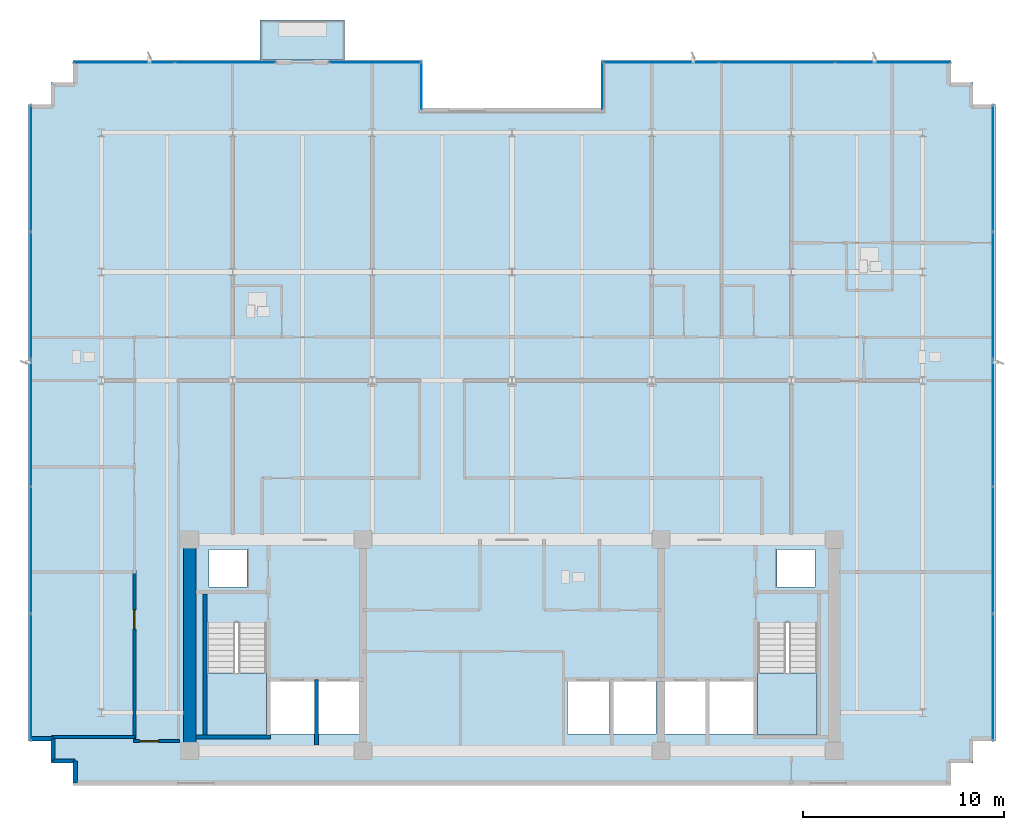
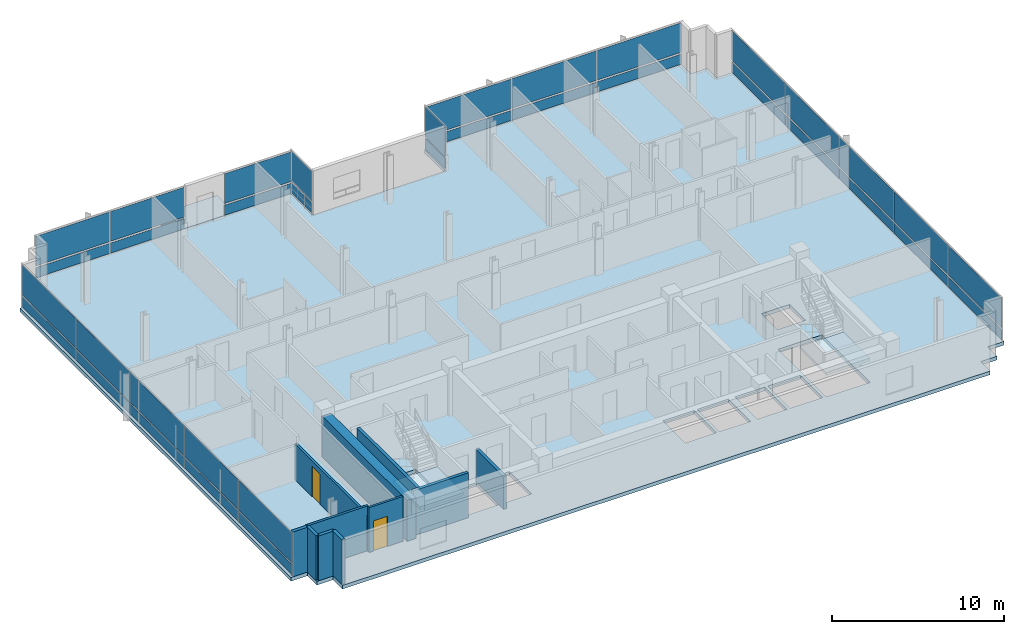
# One storey, part 10 of 17: 36 plates, 11 walls, 4 slabs, 2 doors, 2 openings, 9 elements without a shape of their own.
"""IFC4 building model written with IfcOpenShell, lengths in metres."""

from ifc_helpers import new_model, si_unit, direction, frame, frame_2d, origin, origin_2d, place, context, subcontext, project, spatial, polyline, rectangle, outline, extrude, material, layer, layer_set, type_object, element, fill, aggregate, save


model = new_model("IFC4")

# Units and contexts
model_context = context("Model", 3, precision=1e-05, world=origin(), true_north=direction((0.0, 1.0)))
body_context = subcontext(model_context, "Body", "Model", "MODEL_VIEW")
ifc_project = project(units=[si_unit("LENGTHUNIT", "METRE"), si_unit("AREAUNIT", "SQUARE_METRE"), si_unit("VOLUMEUNIT", "CUBIC_METRE"), si_unit("PLANEANGLEUNIT", "RADIAN"), si_unit("MASSUNIT", "GRAM", prefix="KILO")], contexts=[model_context])

# Site, building, storey
site_placement = place(None, origin())
site = spatial("IfcSite", under=ifc_project, at=site_placement, CompositionType="ELEMENT")
building_placement = place(site_placement, origin())
building = spatial("IfcBuilding", under=site, at=building_placement, Name="Solmavex Isthmus Hotel", CompositionType="ELEMENT")
storey_placement = place(building_placement, frame((0.0, 0.0, 266.10009765625)))
storey = spatial("IfcBuildingStorey", under=building, at=storey_placement, Name="L72", CompositionType="ELEMENT", Elevation=266.10009765625)

# Curtain wall, plates
ifc_material_1 = material(Name="Aluminium alloy 6063-T6", Category="aluminium")
curtain_wall_type = type_object("IfcCurtainWallType", Name="CW-SYS-06", PredefinedType="NOTDEFINED", material=ifc_material_1)
curtain_wall_1_placement = place(storey_placement, origin())
curtain_wall_1 = element("IfcCurtainWall", 1, at=curtain_wall_1_placement, inside=storey, type_object=curtain_wall_type, Name="Stick Curtain Wall CWL-L72-SGW", PredefinedType="NOTDEFINED")
ifc_material_2 = material(Name="Clear low-E laminated glass", Category="glass")
ifc_layer_1 = layer(ifc_material_2, 0.028076171875)
ifc_layer_set_1 = layer_set([ifc_layer_1], Name="Clear low-E laminated glass")
plate_type = type_object("IfcPlateType", Name="CW-SYS-06-PNL", PredefinedType="CURTAIN_PANEL", material=ifc_layer_set_1)
plate_1_placement = place(storey_placement, frame((-4.5, 20.0400390625, 0.114990234375), z_axis=(0.0, 0.0, 1.0), x_axis=(0.0, 1.0, 0.0)))
plate_1 = element("IfcPlate", 2, at=plate_1_placement, type_object=plate_type, Name="CW-06 panel 1.1", PredefinedType="CURTAIN_PANEL", context=body_context, shape_type="SweptSolid", body=[
    extrude(rectangle(XDim=2.360107421875, YDim=0.028076171875, at=origin_2d()), origin(), (0.0, 0.0, 1.0), 0.7275390625),
])
plate_2_placement = place(storey_placement, frame((-4.5, 20.0400390625, 0.95751953125), z_axis=(0.0, 0.0, 1.0), x_axis=(0.0, 1.0, 0.0)))
plate_2 = element("IfcPlate", 3, at=plate_2_placement, type_object=plate_type, Name="CW-06 panel 1.2", PredefinedType="CURTAIN_PANEL", context=body_context, shape_type="SweptSolid", body=[
    extrude(rectangle(XDim=2.360107421875, YDim=0.028076171875, at=origin_2d()), origin(), (0.0, 0.0, 1.0), 2.117431640625),
])
aggregate(curtain_wall_1, [plate_1, plate_2])

curtain_wall_2_placement = place(storey_placement, origin())
curtain_wall_2 = element("IfcCurtainWall", 4, at=curtain_wall_2_placement, inside=storey, type_object=curtain_wall_type, Name="Stick Curtain Wall CWL-L72-SGE", PredefinedType="NOTDEFINED")
plate_3_placement = place(storey_placement, frame((4.5, 20.0400390625, 0.114990234375), z_axis=(0.0, 0.0, 1.0), x_axis=(0.0, 1.0, 0.0)))
plate_3 = element("IfcPlate", 5, at=plate_3_placement, type_object=plate_type, Name="CW-06 panel 1.1", PredefinedType="CURTAIN_PANEL", context=body_context, shape_type="SweptSolid", body=[
    extrude(rectangle(XDim=2.360107421875, YDim=0.028076171875, at=origin_2d()), origin(), (0.0, 0.0, 1.0), 0.7275390625),
])
plate_4_placement = place(storey_placement, frame((4.5, 20.0400390625, 0.95751953125), z_axis=(0.0, 0.0, 1.0), x_axis=(0.0, 1.0, 0.0)))
plate_4 = element("IfcPlate", 6, at=plate_4_placement, type_object=plate_type, Name="CW-06 panel 1.2", PredefinedType="CURTAIN_PANEL", context=body_context, shape_type="SweptSolid", body=[
    extrude(rectangle(XDim=2.360107421875, YDim=0.028076171875, at=origin_2d()), origin(), (0.0, 0.0, 1.0), 2.117431640625),
])
aggregate(curtain_wall_2, [plate_3, plate_4])

curtain_wall_3_placement = place(storey_placement, origin())
curtain_wall_3 = element("IfcCurtainWall", 7, at=curtain_wall_3_placement, inside=storey, type_object=curtain_wall_type, Name="Stick Curtain Wall CWL-L72-N1", PredefinedType="NOTDEFINED")
plate_5_placement = place(storey_placement, frame((-19.260986328125, 21.179931640625, 0.114990234375), z_axis=(0.0, 0.0, 1.0), x_axis=(1.0, 0.0, 0.0)))
plate_5 = element("IfcPlate", 8, at=plate_5_placement, type_object=plate_type, Name="CW-06 panel 1.1", PredefinedType="CURTAIN_PANEL", context=body_context, shape_type="SweptSolid", body=[
    extrude(rectangle(XDim=4.9580078125, YDim=0.028076171875, at=origin_2d()), origin(), (0.0, 0.0, 1.0), 0.7275390625),
])
plate_6_placement = place(storey_placement, frame((-19.260986328125, 21.179931640625, 0.95751953125), z_axis=(0.0, 0.0, 1.0), x_axis=(1.0, 0.0, 0.0)))
plate_6 = element("IfcPlate", 9, at=plate_6_placement, type_object=plate_type, Name="CW-06 panel 1.2", PredefinedType="CURTAIN_PANEL", context=body_context, shape_type="SweptSolid", body=[
    extrude(rectangle(XDim=4.9580078125, YDim=0.028076171875, at=origin_2d()), origin(), (0.0, 0.0, 1.0), 2.117431640625),
])
plate_7_placement = place(storey_placement, frame((-14.242919921875, 21.179931640625, 0.114990234375), z_axis=(0.0, 0.0, 1.0), x_axis=(1.0, 0.0, 0.0)))
plate_7 = element("IfcPlate", 10, at=plate_7_placement, type_object=plate_type, Name="CW-06 panel 2.1", PredefinedType="CURTAIN_PANEL", context=body_context, shape_type="SweptSolid", body=[
    extrude(rectangle(XDim=4.9580078125, YDim=0.028076171875, at=origin_2d()), origin(), (0.0, 0.0, 1.0), 0.7275390625),
])
plate_8_placement = place(storey_placement, frame((-14.242919921875, 21.179931640625, 0.95751953125), z_axis=(0.0, 0.0, 1.0), x_axis=(1.0, 0.0, 0.0)))
plate_8 = element("IfcPlate", 11, at=plate_8_placement, type_object=plate_type, Name="CW-06 panel 2.2", PredefinedType="CURTAIN_PANEL", context=body_context, shape_type="SweptSolid", body=[
    extrude(rectangle(XDim=4.9580078125, YDim=0.028076171875, at=origin_2d()), origin(), (0.0, 0.0, 1.0), 2.117431640625),
])
aggregate(curtain_wall_3, [plate_5, plate_6, plate_7, plate_8])

curtain_wall_4_placement = place(storey_placement, origin())
curtain_wall_4 = element("IfcCurtainWall", 12, at=curtain_wall_4_placement, inside=storey, type_object=curtain_wall_type, Name="Stick Curtain Wall CWL-L72-N2", PredefinedType="NOTDEFINED")
plate_9_placement = place(storey_placement, frame((-6.802001953125, 21.179931640625, 0.114990234375), z_axis=(0.0, 0.0, 1.0), x_axis=(1.0, 0.0, 0.0)))
plate_9 = element("IfcPlate", 13, at=plate_9_placement, type_object=plate_type, Name="CW-06 panel 1.1", PredefinedType="CURTAIN_PANEL", context=body_context, shape_type="SweptSolid", body=[
    extrude(rectangle(XDim=4.48388671875, YDim=0.028076171875, at=origin_2d()), origin(), (0.0, 0.0, 1.0), 0.7275390625),
])
plate_10_placement = place(storey_placement, frame((-6.802001953125, 21.179931640625, 0.95751953125), z_axis=(0.0, 0.0, 1.0), x_axis=(1.0, 0.0, 0.0)))
plate_10 = element("IfcPlate", 14, at=plate_10_placement, type_object=plate_type, Name="CW-06 panel 1.2", PredefinedType="CURTAIN_PANEL", context=body_context, shape_type="SweptSolid", body=[
    extrude(rectangle(XDim=4.48388671875, YDim=0.028076171875, at=origin_2d()), origin(), (0.0, 0.0, 1.0), 2.117431640625),
])
aggregate(curtain_wall_4, [plate_9, plate_10])

curtain_wall_5_placement = place(storey_placement, origin())
curtain_wall_5 = element("IfcCurtainWall", 15, at=curtain_wall_5_placement, inside=storey, type_object=curtain_wall_type, Name="Stick Curtain Wall CWL-L72-N3", PredefinedType="NOTDEFINED")
plate_11_placement = place(storey_placement, frame((7.3984375, 21.179931640625, 0.114990234375), z_axis=(0.0, 0.0, 1.0), x_axis=(1.0, 0.0, 0.0)))
plate_11 = element("IfcPlate", 16, at=plate_11_placement, type_object=plate_type, Name="CW-06 panel 1.1", PredefinedType="CURTAIN_PANEL", context=body_context, shape_type="SweptSolid", body=[
    extrude(rectangle(XDim=5.6767578125, YDim=0.028076171875, at=origin_2d()), origin(), (0.0, 0.0, 1.0), 0.7275390625),
])
plate_12_placement = place(storey_placement, frame((7.3984375, 21.179931640625, 0.95751953125), z_axis=(0.0, 0.0, 1.0), x_axis=(1.0, 0.0, 0.0)))
plate_12 = element("IfcPlate", 17, at=plate_12_placement, type_object=plate_type, Name="CW-06 panel 1.2", PredefinedType="CURTAIN_PANEL", context=body_context, shape_type="SweptSolid", body=[
    extrude(rectangle(XDim=5.6767578125, YDim=0.028076171875, at=origin_2d()), origin(), (0.0, 0.0, 1.0), 2.117431640625),
])
plate_13_placement = place(storey_placement, frame((13.14990234375, 21.179931640625, 0.114990234375), z_axis=(0.0, 0.0, 1.0), x_axis=(1.0, 0.0, 0.0)))
plate_13 = element("IfcPlate", 18, at=plate_13_placement, type_object=plate_type, Name="CW-06 panel 2.1", PredefinedType="CURTAIN_PANEL", context=body_context, shape_type="SweptSolid", body=[
    extrude(rectangle(XDim=5.706787109375, YDim=0.028076171875, at=origin_2d()), origin(), (0.0, 0.0, 1.0), 0.7275390625),
])
plate_14_placement = place(storey_placement, frame((13.14990234375, 21.179931640625, 0.95751953125), z_axis=(0.0, 0.0, 1.0), x_axis=(1.0, 0.0, 0.0)))
plate_14 = element("IfcPlate", 19, at=plate_14_placement, type_object=plate_type, Name="CW-06 panel 2.2", PredefinedType="CURTAIN_PANEL", context=body_context, shape_type="SweptSolid", body=[
    extrude(rectangle(XDim=5.706787109375, YDim=0.028076171875, at=origin_2d()), origin(), (0.0, 0.0, 1.0), 2.117431640625),
])
plate_15_placement = place(storey_placement, frame((18.901611328125, 21.179931640625, 0.114990234375), z_axis=(0.0, 0.0, 1.0), x_axis=(1.0, 0.0, 0.0)))
plate_15 = element("IfcPlate", 20, at=plate_15_placement, type_object=plate_type, Name="CW-06 panel 3.1", PredefinedType="CURTAIN_PANEL", context=body_context, shape_type="SweptSolid", body=[
    extrude(rectangle(XDim=5.6767578125, YDim=0.028076171875, at=origin_2d()), origin(), (0.0, 0.0, 1.0), 0.7275390625),
])
plate_16_placement = place(storey_placement, frame((18.901611328125, 21.179931640625, 0.95751953125), z_axis=(0.0, 0.0, 1.0), x_axis=(1.0, 0.0, 0.0)))
plate_16 = element("IfcPlate", 21, at=plate_16_placement, type_object=plate_type, Name="CW-06 panel 3.2", PredefinedType="CURTAIN_PANEL", context=body_context, shape_type="SweptSolid", body=[
    extrude(rectangle(XDim=5.6767578125, YDim=0.028076171875, at=origin_2d()), origin(), (0.0, 0.0, 1.0), 2.117431640625),
])
aggregate(curtain_wall_5, [plate_11, plate_12, plate_13, plate_14, plate_15, plate_16])

curtain_wall_6_placement = place(storey_placement, origin())
curtain_wall_6 = element("IfcCurtainWall", 22, at=curtain_wall_6_placement, inside=storey, type_object=curtain_wall_type, Name="Stick Curtain Wall CWL-L72-W1", PredefinedType="NOTDEFINED")
plate_17_placement = place(storey_placement, frame((-23.8798828125, -9.324951171875, 0.114990234375), z_axis=(0.0, 0.0, 1.0), x_axis=(0.0, 1.0, 0.0)))
plate_17 = element("IfcPlate", 23, at=plate_17_placement, type_object=plate_type, Name="CW-06 panel 1.1", PredefinedType="CURTAIN_PANEL", context=body_context, shape_type="SweptSolid", body=[
    extrude(rectangle(XDim=6.22998046875, YDim=0.028076171875, at=origin_2d()), origin(), (0.0, 0.0, 1.0), 0.7275390625),
])
plate_18_placement = place(storey_placement, frame((-23.8798828125, -9.324951171875, 0.95751953125), z_axis=(0.0, 0.0, 1.0), x_axis=(0.0, 1.0, 0.0)))
plate_18 = element("IfcPlate", 24, at=plate_18_placement, type_object=plate_type, Name="CW-06 panel 1.2", PredefinedType="CURTAIN_PANEL", context=body_context, shape_type="SweptSolid", body=[
    extrude(rectangle(XDim=6.22998046875, YDim=0.028076171875, at=origin_2d()), origin(), (0.0, 0.0, 1.0), 2.117431640625),
])
plate_19_placement = place(storey_placement, frame((-23.8798828125, -3.02001953125, 0.114990234375), z_axis=(0.0, 0.0, 1.0), x_axis=(0.0, 1.0, 0.0)))
plate_19 = element("IfcPlate", 25, at=plate_19_placement, type_object=plate_type, Name="CW-06 panel 2.1", PredefinedType="CURTAIN_PANEL", context=body_context, shape_type="SweptSolid", body=[
    extrude(rectangle(XDim=6.260009765625, YDim=0.028076171875, at=origin_2d()), origin(), (0.0, 0.0, 1.0), 0.7275390625),
])
plate_20_placement = place(storey_placement, frame((-23.8798828125, -3.02001953125, 0.95751953125), z_axis=(0.0, 0.0, 1.0), x_axis=(0.0, 1.0, 0.0)))
plate_20 = element("IfcPlate", 26, at=plate_20_placement, type_object=plate_type, Name="CW-06 panel 2.2", PredefinedType="CURTAIN_PANEL", context=body_context, shape_type="SweptSolid", body=[
    extrude(rectangle(XDim=6.260009765625, YDim=0.028076171875, at=origin_2d()), origin(), (0.0, 0.0, 1.0), 2.117431640625),
])
plate_21_placement = place(storey_placement, frame((-23.8798828125, 3.300048828125, 0.114990234375), z_axis=(0.0, 0.0, 1.0), x_axis=(0.0, 1.0, 0.0)))
plate_21 = element("IfcPlate", 27, at=plate_21_placement, type_object=plate_type, Name="CW-06 panel 3.1", PredefinedType="CURTAIN_PANEL", context=body_context, shape_type="SweptSolid", body=[
    extrude(rectangle(XDim=6.260009765625, YDim=0.028076171875, at=origin_2d()), origin(), (0.0, 0.0, 1.0), 0.7275390625),
])
plate_22_placement = place(storey_placement, frame((-23.8798828125, 3.300048828125, 0.95751953125), z_axis=(0.0, 0.0, 1.0), x_axis=(0.0, 1.0, 0.0)))
plate_22 = element("IfcPlate", 28, at=plate_22_placement, type_object=plate_type, Name="CW-06 panel 3.2", PredefinedType="CURTAIN_PANEL", context=body_context, shape_type="SweptSolid", body=[
    extrude(rectangle(XDim=6.260009765625, YDim=0.028076171875, at=origin_2d()), origin(), (0.0, 0.0, 1.0), 2.117431640625),
])
plate_23_placement = place(storey_placement, frame((-23.8798828125, 9.6201171875, 0.114990234375), z_axis=(0.0, 0.0, 1.0), x_axis=(0.0, 1.0, 0.0)))
plate_23 = element("IfcPlate", 29, at=plate_23_placement, type_object=plate_type, Name="CW-06 panel 4.1", PredefinedType="CURTAIN_PANEL", context=body_context, shape_type="SweptSolid", body=[
    extrude(rectangle(XDim=6.260009765625, YDim=0.028076171875, at=origin_2d()), origin(), (0.0, 0.0, 1.0), 0.7275390625),
])
plate_24_placement = place(storey_placement, frame((-23.8798828125, 9.6201171875, 0.95751953125), z_axis=(0.0, 0.0, 1.0), x_axis=(0.0, 1.0, 0.0)))
plate_24 = element("IfcPlate", 30, at=plate_24_placement, type_object=plate_type, Name="CW-06 panel 4.2", PredefinedType="CURTAIN_PANEL", context=body_context, shape_type="SweptSolid", body=[
    extrude(rectangle(XDim=6.260009765625, YDim=0.028076171875, at=origin_2d()), origin(), (0.0, 0.0, 1.0), 2.117431640625),
])
plate_25_placement = place(storey_placement, frame((-23.8798828125, 15.925048828125, 0.114990234375), z_axis=(0.0, 0.0, 1.0), x_axis=(0.0, 1.0, 0.0)))
plate_25 = element("IfcPlate", 31, at=plate_25_placement, type_object=plate_type, Name="CW-06 panel 5.1", PredefinedType="CURTAIN_PANEL", context=body_context, shape_type="SweptSolid", body=[
    extrude(rectangle(XDim=6.22998046875, YDim=0.028076171875, at=origin_2d()), origin(), (0.0, 0.0, 1.0), 0.7275390625),
])
plate_26_placement = place(storey_placement, frame((-23.8798828125, 15.925048828125, 0.95751953125), z_axis=(0.0, 0.0, 1.0), x_axis=(0.0, 1.0, 0.0)))
plate_26 = element("IfcPlate", 32, at=plate_26_placement, type_object=plate_type, Name="CW-06 panel 5.2", PredefinedType="CURTAIN_PANEL", context=body_context, shape_type="SweptSolid", body=[
    extrude(rectangle(XDim=6.22998046875, YDim=0.028076171875, at=origin_2d()), origin(), (0.0, 0.0, 1.0), 2.117431640625),
])
aggregate(curtain_wall_6, [plate_17, plate_18, plate_19, plate_20, plate_21, plate_22, plate_23, plate_24, plate_25, plate_26])

curtain_wall_7_placement = place(storey_placement, origin())
curtain_wall_7 = element("IfcCurtainWall", 33, at=curtain_wall_7_placement, inside=storey, type_object=curtain_wall_type, Name="Stick Curtain Wall CWL-L72-E1", PredefinedType="NOTDEFINED")
plate_27_placement = place(storey_placement, frame((23.8798828125, -9.324951171875, 0.114990234375), z_axis=(0.0, 0.0, 1.0), x_axis=(0.0, 1.0, 0.0)))
plate_27 = element("IfcPlate", 34, at=plate_27_placement, type_object=plate_type, Name="CW-06 panel 1.1", PredefinedType="CURTAIN_PANEL", context=body_context, shape_type="SweptSolid", body=[
    extrude(rectangle(XDim=6.22998046875, YDim=0.028076171875, at=origin_2d()), origin(), (0.0, 0.0, 1.0), 0.7275390625),
])
plate_28_placement = place(storey_placement, frame((23.8798828125, -9.324951171875, 0.95751953125), z_axis=(0.0, 0.0, 1.0), x_axis=(0.0, 1.0, 0.0)))
plate_28 = element("IfcPlate", 35, at=plate_28_placement, type_object=plate_type, Name="CW-06 panel 1.2", PredefinedType="CURTAIN_PANEL", context=body_context, shape_type="SweptSolid", body=[
    extrude(rectangle(XDim=6.22998046875, YDim=0.028076171875, at=origin_2d()), origin(), (0.0, 0.0, 1.0), 2.117431640625),
])
plate_29_placement = place(storey_placement, frame((23.8798828125, -3.02001953125, 0.114990234375), z_axis=(0.0, 0.0, 1.0), x_axis=(0.0, 1.0, 0.0)))
plate_29 = element("IfcPlate", 36, at=plate_29_placement, type_object=plate_type, Name="CW-06 panel 2.1", PredefinedType="CURTAIN_PANEL", context=body_context, shape_type="SweptSolid", body=[
    extrude(rectangle(XDim=6.260009765625, YDim=0.028076171875, at=origin_2d()), origin(), (0.0, 0.0, 1.0), 0.7275390625),
])
plate_30_placement = place(storey_placement, frame((23.8798828125, -3.02001953125, 0.95751953125), z_axis=(0.0, 0.0, 1.0), x_axis=(0.0, 1.0, 0.0)))
plate_30 = element("IfcPlate", 37, at=plate_30_placement, type_object=plate_type, Name="CW-06 panel 2.2", PredefinedType="CURTAIN_PANEL", context=body_context, shape_type="SweptSolid", body=[
    extrude(rectangle(XDim=6.260009765625, YDim=0.028076171875, at=origin_2d()), origin(), (0.0, 0.0, 1.0), 2.117431640625),
])
plate_31_placement = place(storey_placement, frame((23.8798828125, 3.300048828125, 0.114990234375), z_axis=(0.0, 0.0, 1.0), x_axis=(0.0, 1.0, 0.0)))
plate_31 = element("IfcPlate", 38, at=plate_31_placement, type_object=plate_type, Name="CW-06 panel 3.1", PredefinedType="CURTAIN_PANEL", context=body_context, shape_type="SweptSolid", body=[
    extrude(rectangle(XDim=6.260009765625, YDim=0.028076171875, at=origin_2d()), origin(), (0.0, 0.0, 1.0), 0.7275390625),
])
plate_32_placement = place(storey_placement, frame((23.8798828125, 3.300048828125, 0.95751953125), z_axis=(0.0, 0.0, 1.0), x_axis=(0.0, 1.0, 0.0)))
plate_32 = element("IfcPlate", 39, at=plate_32_placement, type_object=plate_type, Name="CW-06 panel 3.2", PredefinedType="CURTAIN_PANEL", context=body_context, shape_type="SweptSolid", body=[
    extrude(rectangle(XDim=6.260009765625, YDim=0.028076171875, at=origin_2d()), origin(), (0.0, 0.0, 1.0), 2.117431640625),
])
plate_33_placement = place(storey_placement, frame((23.8798828125, 9.6201171875, 0.114990234375), z_axis=(0.0, 0.0, 1.0), x_axis=(0.0, 1.0, 0.0)))
plate_33 = element("IfcPlate", 40, at=plate_33_placement, type_object=plate_type, Name="CW-06 panel 4.1", PredefinedType="CURTAIN_PANEL", context=body_context, shape_type="SweptSolid", body=[
    extrude(rectangle(XDim=6.260009765625, YDim=0.028076171875, at=origin_2d()), origin(), (0.0, 0.0, 1.0), 0.7275390625),
])
plate_34_placement = place(storey_placement, frame((23.8798828125, 9.6201171875, 0.95751953125), z_axis=(0.0, 0.0, 1.0), x_axis=(0.0, 1.0, 0.0)))
plate_34 = element("IfcPlate", 41, at=plate_34_placement, type_object=plate_type, Name="CW-06 panel 4.2", PredefinedType="CURTAIN_PANEL", context=body_context, shape_type="SweptSolid", body=[
    extrude(rectangle(XDim=6.260009765625, YDim=0.028076171875, at=origin_2d()), origin(), (0.0, 0.0, 1.0), 2.117431640625),
])
plate_35_placement = place(storey_placement, frame((23.8798828125, 15.925048828125, 0.114990234375), z_axis=(0.0, 0.0, 1.0), x_axis=(0.0, 1.0, 0.0)))
plate_35 = element("IfcPlate", 42, at=plate_35_placement, type_object=plate_type, Name="CW-06 panel 5.1", PredefinedType="CURTAIN_PANEL", context=body_context, shape_type="SweptSolid", body=[
    extrude(rectangle(XDim=6.22998046875, YDim=0.028076171875, at=origin_2d()), origin(), (0.0, 0.0, 1.0), 0.7275390625),
])
plate_36_placement = place(storey_placement, frame((23.8798828125, 15.925048828125, 0.95751953125), z_axis=(0.0, 0.0, 1.0), x_axis=(0.0, 1.0, 0.0)))
plate_36 = element("IfcPlate", 43, at=plate_36_placement, type_object=plate_type, Name="CW-06 panel 5.2", PredefinedType="CURTAIN_PANEL", context=body_context, shape_type="SweptSolid", body=[
    extrude(rectangle(XDim=6.22998046875, YDim=0.028076171875, at=origin_2d()), origin(), (0.0, 0.0, 1.0), 2.117431640625),
])
aggregate(curtain_wall_7, [plate_27, plate_28, plate_29, plate_30, plate_31, plate_32, plate_33, plate_34, plate_35, plate_36])

# Slabs
ifc_material_3 = material(Name="Concrete C40/50", Category="concrete")
ifc_layer_2 = layer(ifc_material_3, 0.239990234375)
ifc_layer_set_2 = layer_set([ifc_layer_2], Name="Concrete C40/50")
slab_type_1 = type_object("IfcSlabType", Name="SLAB-BALC-240", PredefinedType="FLOOR", material=ifc_layer_set_2)
slab_1_placement = place(storey_placement, frame((0.0, 0.0, -0.239990234375)))
element("IfcSlab", 44, at=slab_1_placement, inside=storey, type_object=slab_type_1, Name="Tree-Planter Balcony Slab L72-B1", PredefinedType="FLOOR", context=body_context, shape_type="SweptSolid", body=[
    extrude(outline(polyline([(-12.50390625, 21.31494140625), (-8.303955078125, 21.31494140625), (-8.303955078125, 23.300048828125), (-12.50390625, 23.300048828125), (-12.50390625, 21.31494140625)])), origin(), (0.0, 0.0, 1.0), 0.239990234375),
])
ifc_layer_3 = layer(ifc_material_3, 0.260009765625)
ifc_layer_set_3 = layer_set([ifc_layer_3], Name="Concrete C40/50")
slab_type_2 = type_object("IfcSlabType", Name="SLAB-TYP-260", PredefinedType="FLOOR", material=ifc_layer_set_3)
slab_2_placement = place(storey_placement, frame((0.0, 0.0, -0.260009765625)))
element("IfcSlab", 45, at=slab_2_placement, inside=storey, type_object=slab_type_2, Name="Tower Structural Floor Slab L72", PredefinedType="FLOOR", context=body_context, shape_type="SweptSolid", body=[
    extrude(outline(polyline([(4.5, 21.300048828125), (4.5, 18.800048828125), (-4.5, 18.800048828125), (-4.5, 21.300048828125), (-20.699951171875, 21.300048828125), (-21.800048828125, 21.300048828125), (-21.800048828125, 20.199951171875), (-22.89990234375, 20.199951171875), (-22.89990234375, 19.10009765625), (-24.0, 19.10009765625), (-24.0, 18.0), (-24.0, -11.39990234375), (-24.0, -12.5), (-22.89990234375, -12.5), (-22.89990234375, -13.60009765625), (-21.800048828125, -13.60009765625), (-21.800048828125, -14.699951171875), (-20.699951171875, -14.699951171875), (20.699951171875, -14.699951171875), (21.800048828125, -14.699951171875), (21.800048828125, -13.60009765625), (22.89990234375, -13.60009765625), (22.89990234375, -12.5), (24.0, -12.5), (24.0, -11.39990234375), (24.0, 18.0), (24.0, 19.10009765625), (22.89990234375, 19.10009765625), (22.89990234375, 20.199951171875), (21.800048828125, 20.199951171875), (21.800048828125, 21.300048828125), (20.699951171875, 21.300048828125), (4.5, 21.300048828125)]), holes=[polyline([(-15.14990234375, -6.617919921875), (-15.14990234375, -12.199951171875), (-12.199951171875, -12.199951171875), (-12.199951171875, -6.617919921875), (-15.14990234375, -6.617919921875)]), polyline([(12.199951171875, -6.617919921875), (12.199951171875, -12.199951171875), (15.14990234375, -12.199951171875), (15.14990234375, -6.617919921875), (12.199951171875, -6.617919921875)]), polyline([(-12.0, -12.14990234375), (-9.800048828125, -12.14990234375), (-9.800048828125, -9.550048828125), (-12.0, -9.550048828125), (-12.0, -12.14990234375)]), polyline([(9.800048828125, -12.14990234375), (12.0, -12.14990234375), (12.0, -9.550048828125), (9.800048828125, -9.550048828125), (9.800048828125, -12.14990234375)]), polyline([(-9.60009765625, -12.14990234375), (-7.60009765625, -12.14990234375), (-7.60009765625, -9.550048828125), (-9.60009765625, -9.550048828125), (-9.60009765625, -12.14990234375)]), polyline([(7.60009765625, -12.14990234375), (9.60009765625, -12.14990234375), (9.60009765625, -9.550048828125), (7.60009765625, -9.550048828125), (7.60009765625, -12.14990234375)]), polyline([(2.75, -12.14990234375), (4.85009765625, -12.14990234375), (4.85009765625, -9.550048828125), (2.75, -9.550048828125), (2.75, -12.14990234375)]), polyline([(5.050048828125, -12.14990234375), (7.14990234375, -12.14990234375), (7.14990234375, -9.550048828125), (5.050048828125, -9.550048828125), (5.050048828125, -12.14990234375)]), polyline([(-15.050048828125, -4.85009765625), (-13.14990234375, -4.85009765625), (-13.14990234375, -3.0), (-15.050048828125, -3.0), (-15.050048828125, -4.85009765625)]), polyline([(13.14990234375, -4.85009765625), (15.050048828125, -4.85009765625), (15.050048828125, -3.0), (13.14990234375, -3.0), (13.14990234375, -4.85009765625)])]), origin(), (0.0, 0.0, 1.0), 0.260009765625),
])

# Stair, slab
stair_type_1 = type_object("IfcStairType", Name="STR-ST-1", PredefinedType="HALF_TURN_STAIR", material=ifc_material_3)
stair_1_placement = place(storey_placement, origin())
stair_1 = element("IfcStair", 46, at=stair_1_placement, inside=storey, type_object=stair_type_1, Name="L72 Protected Exit Stair ST-1", PredefinedType="HALF_TURN_STAIR")
ifc_layer_4 = layer(ifc_material_3, 0.219970703125)
ifc_layer_set_4 = layer_set([ifc_layer_4], Name="Concrete C40/50")
slab_type_3 = type_object("IfcSlabType", Name="SLD-ST-1", PredefinedType="LANDING", material=ifc_layer_set_4)
slab_3_placement = place(storey_placement, frame((0.0, 0.0, 1.52490234375)))
slab_3 = element("IfcSlab", 47, at=slab_3_placement, type_object=slab_type_3, Name="ST-1 landing 1", PredefinedType="LANDING", context=body_context, shape_type="SweptSolid", body=[
    extrude(outline(polyline([(-15.14990234375, -9.1201171875), (-15.14990234375, -12.199951171875), (-12.199951171875, -12.199951171875), (-12.199951171875, -9.1201171875), (-15.14990234375, -9.1201171875)])), origin(), (0.0, 0.0, 1.0), 0.199951171875),
])
aggregate(stair_1, [slab_3])

stair_type_2 = type_object("IfcStairType", Name="STR-ST-2", PredefinedType="HALF_TURN_STAIR", material=ifc_material_3)
stair_2_placement = place(storey_placement, origin())
stair_2 = element("IfcStair", 48, at=stair_2_placement, inside=storey, type_object=stair_type_2, Name="L72 Protected Exit Stair ST-2", PredefinedType="HALF_TURN_STAIR")
ifc_layer_5 = layer(ifc_material_3, 0.219970703125)
ifc_layer_set_5 = layer_set([ifc_layer_5], Name="Concrete C40/50")
slab_type_4 = type_object("IfcSlabType", Name="SLD-ST-2", PredefinedType="LANDING", material=ifc_layer_set_5)
slab_4_placement = place(storey_placement, frame((0.0, 0.0, 1.52490234375)))
slab_4 = element("IfcSlab", 49, at=slab_4_placement, type_object=slab_type_4, Name="ST-2 landing 1", PredefinedType="LANDING", context=body_context, shape_type="SweptSolid", body=[
    extrude(outline(polyline([(12.199951171875, -9.1201171875), (12.199951171875, -12.199951171875), (15.14990234375, -12.199951171875), (15.14990234375, -9.1201171875), (12.199951171875, -9.1201171875)])), origin(), (0.0, 0.0, 1.0), 0.199951171875),
])
aggregate(stair_2, [slab_4])

# Walls
ifc_material_4 = material(Name="Precast Concrete C40/50", Category="concrete")
ifc_layer_6 = layer(ifc_material_4, 0.25)
ifc_layer_set_6 = layer_set([ifc_layer_6], Name="Precast Concrete C40/50")
wall_type_1 = type_object("IfcWallType", Name="EW-TWR-250", PredefinedType="STANDARD", material=ifc_layer_set_6)
for number, where, z_axis, x_axis, name in (
    (50, (-21.68994140625, -14.590087890625, 0.0), (0.0, 0.0, 1.0), (0.0, 1.0, 0.0), "Serrated Corner Facade Panel L72-01"),
    (51, (-21.68994140625, -13.489990234375, 0.0), (0.0, 0.0, 1.0), (-1.0, 0.0, 0.0), "Serrated Corner Facade Panel L72-02"),
    (52, (-22.7900390625, -13.489990234375, 0.0), (0.0, 0.0, 1.0), (0.0, 1.0, 0.0), "Serrated Corner Facade Panel L72-03"),
):
    element("IfcWall", number, at=place(storey_placement, frame(where, z_axis=z_axis, x_axis=x_axis)), inside=storey, type_object=wall_type_1, Name=name, PredefinedType="STANDARD", context=body_context, shape_type="SweptSolid", body=[
        extrude(rectangle(XDim=1.10009765625, YDim=0.219970703125, at=frame_2d((0.550048828125, 0.0))), origin(), (0.0, 0.0, 1.0), 3.18994140625),
    ])
wall_1_placement = place(storey_placement, frame((-22.7900390625, -12.389892578125, 0.0), z_axis=(0.0, 0.0, 1.0), x_axis=(-1.0, 0.0, 0.0)))
element("IfcWall", 53, at=wall_1_placement, inside=storey, type_object=wall_type_1, Name="Serrated Corner Facade Panel L72-04", PredefinedType="STANDARD", context=body_context, shape_type="SweptSolid", body=[
    extrude(rectangle(XDim=1.099853515625, YDim=0.219970703125, at=frame_2d((0.5498046875, 0.0))), origin(), (0.0, 0.0, 1.0), 3.18994140625),
])
ifc_material_5 = material(Name="Gypsum plasterboard lining", Category="gypsum")
ifc_layer_7 = layer(ifc_material_5, 0.159912109375)
ifc_layer_set_7 = layer_set([ifc_layer_7], Name="Gypsum plasterboard lining")
wall_type_2 = type_object("IfcWallType", Name="IW-COMP-160", PredefinedType="PARTITIONING", material=ifc_layer_set_7)
wall_2_placement = place(storey_placement, frame((-18.7099609375, -12.300048828125, 0.0), z_axis=(0.0, 0.0, 1.0), x_axis=(-1.0, 0.0, 0.0)))
element("IfcWall", 54, at=wall_2_placement, inside=storey, type_object=wall_type_2, Name="Interior Partition Wall W-L72-P070", PredefinedType="PARTITIONING", context=body_context, shape_type="SweptSolid", body=[
    extrude(rectangle(XDim=4.162109375, YDim=0.159912109375, at=frame_2d((2.0810546875, 0.0))), origin(), (0.0, 0.0, 1.0), 3.18994140625),
])

# Wall, opening, door
ifc_layer_8 = layer(ifc_material_5, 0.14990234375)
ifc_layer_set_8 = layer_set([ifc_layer_8], Name="Gypsum plasterboard lining")
wall_type_3 = type_object("IfcWallType", Name="IW-CORR-150", PredefinedType="PARTITIONING", material=ifc_layer_set_8)
wall_3_placement = place(storey_placement, frame((-18.75, -12.382080078125, 0.0), z_axis=(0.0, 0.0, 1.0), x_axis=(0.0, 1.0, 0.0)))
wall_3 = element("IfcWall", 55, at=wall_3_placement, inside=storey, type_object=wall_type_3, Name="Interior Partition Wall W-L72-P016", PredefinedType="PARTITIONING", context=body_context, shape_type="SweptSolid", body=[
    extrude(rectangle(XDim=8.364013671875, YDim=0.14990234375, at=frame_2d((4.18212890625, 0.0))), origin(), (0.0, 0.0, 1.0), 2.557373046875),
])
opening_1_placement = place(wall_3_placement, frame((5.446533203125, 0.0, 0.0)))
opening_1 = element("IfcOpeningElement", 56, at=opening_1_placement, cuts=wall_3, Name="Opening ID-C095", PredefinedType="OPENING", context=body_context, shape_type="SweptSolid", body=[
    extrude(rectangle(XDim=0.949951171875, YDim=2.14990234375, at=frame_2d((0.47509765625, 1.074951171875))), frame((0.0, 0.0849609375, 0.0), z_axis=(0.0, -1.0, 0.0), x_axis=(1.0, 0.0, 0.0)), (0.0, 0.0, 1.0), 0.169921875),
])
ifc_material_6 = material(Name="Hardwood timber", Category="wood")
door_type = type_object("IfcDoorType", Name="IDR-FD60-0950", OperationType="NOTDEFINED", PredefinedType="DOOR", material=ifc_material_6)
door_1_placement = place(opening_1_placement, origin())
door_1 = element("IfcDoor", 57, at=door_1_placement, inside=storey, type_object=door_type, Name="Executive Hospitality Lounge Door L72-18", OperationType="SINGLE_SWING_RIGHT", OverallHeight=2.14990234375, OverallWidth=0.949951171875, PredefinedType="DOOR", context=body_context, shape_type="SweptSolid", body=[
    extrude(rectangle(XDim=0.949951171875, YDim=2.14990234375, at=frame_2d((0.47509765625, 1.074951171875))), frame((0.0, 0.02490234375, 0.0), z_axis=(0.0, -1.0, 0.0), x_axis=(1.0, 0.0, 0.0)), (0.0, 0.0, 1.0), 0.050048828125),
])
fill(opening_1, door_1)

wall_4_placement = place(storey_placement, frame((-16.510009765625, -12.5, 0.0), z_axis=(0.0, 0.0, 1.0), x_axis=(-1.0, 0.0, 0.0)))
wall_4 = element("IfcWall", 58, at=wall_4_placement, inside=storey, type_object=wall_type_3, Name="Interior Partition Wall W-L72-P023", PredefinedType="PARTITIONING", context=body_context, shape_type="SweptSolid", body=[
    extrude(rectangle(XDim=2.280029296875, YDim=0.14990234375, at=frame_2d((1.14013671875, 0.0))), origin(), (0.0, 0.0, 1.0), 3.18994140625),
])
opening_2_placement = place(wall_4_placement, frame((1.03466796875, 0.0, 0.0)))
opening_2 = element("IfcOpeningElement", 59, at=opening_2_placement, cuts=wall_4, Name="Opening ID-C095", PredefinedType="OPENING", context=body_context, shape_type="SweptSolid", body=[
    extrude(rectangle(XDim=0.949951171875, YDim=2.14990234375, at=frame_2d((0.47509765625, 1.074951171875))), frame((0.0, 0.0849609375, 0.0), z_axis=(0.0, -1.0, 0.0), x_axis=(1.0, 0.0, 0.0)), (0.0, 0.0, 1.0), 0.169921875),
])
door_2_placement = place(opening_2_placement, frame((0.949951171875, 0.0, 0.0), z_axis=(0.0, 0.0, 1.0), x_axis=(-1.0, 0.0, 0.0)))
door_2 = element("IfcDoor", 60, at=door_2_placement, inside=storey, type_object=door_type, Name="Executive Boardroom Door L72-20", OperationType="SINGLE_SWING_RIGHT", OverallHeight=2.14990234375, OverallWidth=0.949951171875, PredefinedType="DOOR", context=body_context, shape_type="SweptSolid", body=[
    extrude(rectangle(XDim=0.949951171875, YDim=2.14990234375, at=frame_2d((0.47509765625, 1.074951171875))), frame((0.0, 0.02490234375, 0.0), z_axis=(0.0, -1.0, 0.0), x_axis=(1.0, 0.0, 0.0)), (0.0, 0.0, 1.0), 0.050048828125),
])
fill(opening_2, door_2)

# Walls
ifc_layer_9 = layer(ifc_material_3, 0.199951171875)
ifc_layer_set_9 = layer_set([ifc_layer_9], Name="Concrete C40/50")
wall_type_4 = type_object("IfcWallType", Name="IW-SHAFT-200", PredefinedType="PARTITIONING", material=ifc_layer_set_9)
wall_5_placement = place(storey_placement, frame((-9.699951171875, -12.699951171875, 0.0), z_axis=(0.0, 0.0, 1.0), x_axis=(0.0, 1.0, 0.0)))
element("IfcWall", 61, at=wall_5_placement, inside=storey, type_object=wall_type_4, Name="Interior Partition Wall W-L72-FFLW-M", PredefinedType="PARTITIONING", context=body_context, shape_type="SweptSolid", body=[
    extrude(rectangle(XDim=3.25, YDim=0.199951171875, at=frame_2d((1.625, 0.0))), origin(), (0.0, 0.0, 1.0), 2.324951171875),
])
ifc_material_7 = material(Name="Concrete C50/60", Category="concrete")
ifc_layer_10 = layer(ifc_material_7, 0.60009765625)
ifc_layer_set_10 = layer_set([ifc_layer_10], Name="Concrete C50/60")
wall_type_5 = type_object("IfcWallType", Name="WALL-CW-600", PredefinedType="SHEAR", material=ifc_layer_set_10)
wall_6_placement = place(storey_placement, frame((-16.0, -12.699951171875, 0.0), z_axis=(0.0, 0.0, 1.0), x_axis=(0.0, 1.0, 0.0)))
element("IfcWall", 62, at=wall_6_placement, inside=storey, type_object=wall_type_5, Name="Core Shear Wall West L72", PredefinedType="SHEAR", context=body_context, shape_type="SweptSolid", body=[
    extrude(rectangle(XDim=9.89990234375, YDim=0.60009765625, at=frame_2d((4.949951171875, 0.0))), origin(), (0.0, 0.0, 1.0), 2.909912109375),
])
ifc_layer_11 = layer(ifc_material_3, 0.199951171875)
ifc_layer_set_11 = layer_set([ifc_layer_11], Name="Concrete C40/50")
wall_type_6 = type_object("IfcWallType", Name="WALL-SW-200", PredefinedType="SOLIDWALL", material=ifc_layer_set_11)
wall_7_placement = place(storey_placement, frame((-15.699951171875, -12.300048828125, 0.0), z_axis=(0.0, 0.0, 1.0), x_axis=(1.0, 0.0, 0.0)))
element("IfcWall", 63, at=wall_7_placement, inside=storey, type_object=wall_type_6, Name="Stairwell Structural Wall SW-L72-ST1-S", PredefinedType="SOLIDWALL", context=body_context, shape_type="SweptSolid", body=[
    extrude(rectangle(XDim=3.699951171875, YDim=0.199951171875, at=frame_2d((1.85009765625, 0.0))), origin(), (0.0, 0.0, 1.0), 3.18994140625),
])
wall_8_placement = place(storey_placement, frame((-15.25, -12.199951171875, 0.0), z_axis=(0.0, 0.0, 1.0), x_axis=(0.0, 1.0, 0.0)))
element("IfcWall", 64, at=wall_8_placement, inside=storey, type_object=wall_type_6, Name="Stairwell Structural Wall SW-L72-ST1-W", PredefinedType="SOLIDWALL", context=body_context, shape_type="SweptSolid", body=[
    extrude(rectangle(XDim=7.0, YDim=0.199951171875, at=frame_2d((3.5, 0.0))), origin(), (0.0, 0.0, 1.0), 3.18994140625),
])

save(model, "model.ifc")
